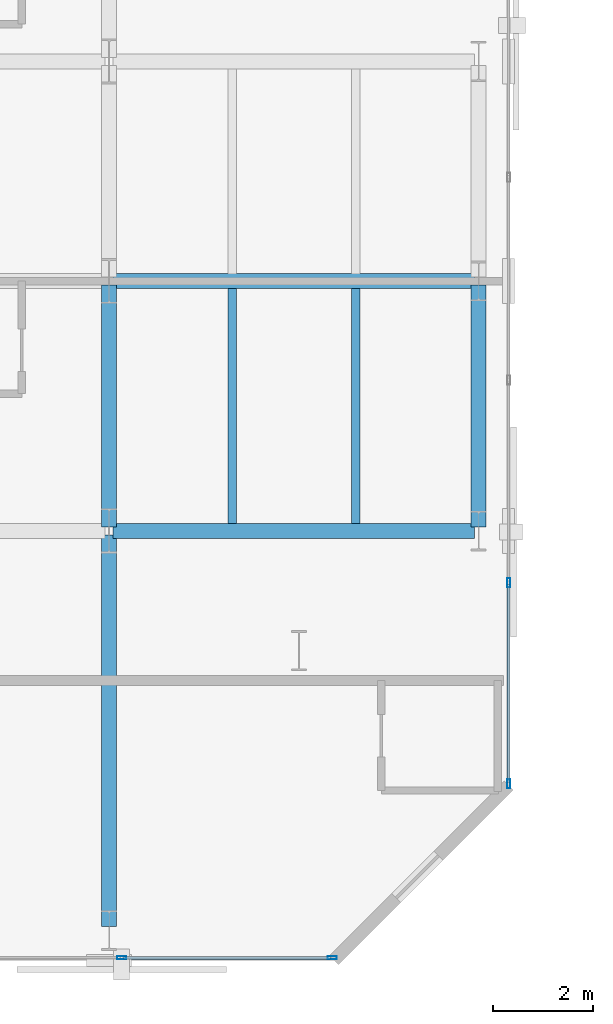
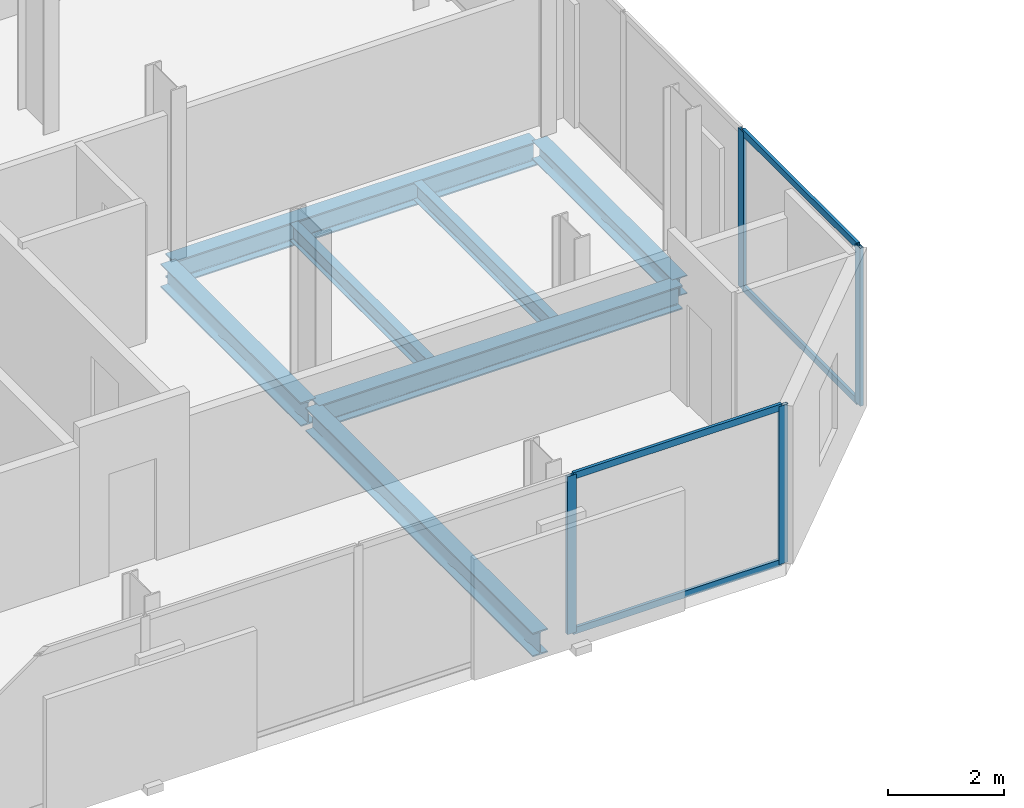
# One storey, part 7 of 32: 8 members, 7 beams, 2 elements without a shape of their own.
"""IFC4 building model written with IfcOpenShell, lengths in metres."""

from ifc_helpers import new_model, si_unit, direction, frame, origin, origin_2d, place, context, subcontext, project, spatial, hollow_rectangle, i_section, extrude, material, layer, layer_set, material_profile, profile_set, type_object, element, aggregate, save


model = new_model("IFC4")

# Units and contexts
model_context = context("Model", 3, precision=1e-05, world=origin(), true_north=direction((0.0, 1.0)))
body_context = subcontext(model_context, "Body", "Model", "MODEL_VIEW")
ifc_project = project(units=[si_unit("LENGTHUNIT", "METRE"), si_unit("AREAUNIT", "SQUARE_METRE"), si_unit("VOLUMEUNIT", "CUBIC_METRE"), si_unit("PLANEANGLEUNIT", "RADIAN"), si_unit("MASSUNIT", "GRAM", prefix="KILO")], contexts=[model_context])

# Site, building, storey
site_placement = place(None, origin())
site = spatial("IfcSite", under=ifc_project, at=site_placement, CompositionType="ELEMENT")
building_placement = place(site_placement, origin())
building = spatial("IfcBuilding", under=site, at=building_placement, Name="Catumbela Crestline Tower", CompositionType="ELEMENT")
storey_placement = place(building_placement, frame((0.0, 0.0, 61.8)))
storey = spatial("IfcBuildingStorey", under=building, at=storey_placement, Name="L15", CompositionType="ELEMENT", Elevation=61.8)

# Beams
ifc_material_1 = material(Name="Structural steel S355J2", Category="steel")
ifc_material_profile_1 = material_profile(ifc_material_1, i_section(OverallWidth=0.3, OverallDepth=0.5, WebThickness=0.0145, FlangeThickness=0.028, FilletRadius=0.027, at=origin_2d()), Name="HEB 500")
ifc_profile_set_1 = profile_set([ifc_material_profile_1], Name="Structural steel S355J2")
beam_type_1 = type_object("IfcBeamType", Name="BG-HEB500", PredefinedType="BEAM", material=ifc_profile_set_1)
for number, where, z_axis, x_axis, name in (
    (1, (16.08, 8.6, -0.51), (1.0, 0.0, 0.0), (0.0, 1.0, 0.0), "L15 Beam BM-L15-WEW50"),
    (2, (16.08, 13.6, -0.51), (1.0, 0.0, 0.0), (0.0, 1.0, 0.0), "L15 Beam BM-L15-WEW53"),
):
    element("IfcBeam", number, at=place(storey_placement, frame(where, z_axis=z_axis, x_axis=x_axis)), inside=storey, type_object=beam_type_1, Name=name, PredefinedType="BEAM", context=body_context, shape_type="SweptSolid", body=[
        extrude(i_section(OverallWidth=0.3, OverallDepth=0.5, WebThickness=0.0145, FlangeThickness=0.028, FilletRadius=0.027, at=origin_2d()), origin(), (0.0, 0.0, 1.0), 7.24),
    ])
beam_1_placement = place(storey_placement, frame((16.0, 0.68, -0.51), z_axis=(0.0, 1.0, 0.0), x_axis=(-1.0, 0.0, 0.0)))
element("IfcBeam", 3, at=beam_1_placement, inside=storey, type_object=beam_type_1, Name="L15 Beam BM-L15-WNS64", PredefinedType="BEAM", context=body_context, shape_type="SweptSolid", body=[
    extrude(i_section(OverallWidth=0.3, OverallDepth=0.5, WebThickness=0.0145, FlangeThickness=0.028, FilletRadius=0.027, at=origin_2d()), origin(), (0.0, 0.0, 1.0), 7.84),
])
beam_2_placement = place(storey_placement, frame((16.0, 8.68, -0.51), z_axis=(0.0, 1.0, 0.0), x_axis=(-1.0, 0.0, 0.0)))
element("IfcBeam", 4, at=beam_2_placement, inside=storey, type_object=beam_type_1, Name="L15 Beam BM-L15-WNS65", PredefinedType="BEAM", context=body_context, shape_type="SweptSolid", body=[
    extrude(i_section(OverallWidth=0.3, OverallDepth=0.5, WebThickness=0.0145, FlangeThickness=0.028, FilletRadius=0.027, at=origin_2d()), origin(), (0.0, 0.0, 1.0), 4.84),
])
ifc_material_profile_2 = material_profile(ifc_material_1, i_section(OverallWidth=0.17, OverallDepth=0.36, WebThickness=0.008, FlangeThickness=0.0127, FilletRadius=0.018, at=origin_2d()), Name="IPE 360")
ifc_profile_set_2 = profile_set([ifc_material_profile_2], Name="Structural steel S355J2")
beam_type_2 = type_object("IfcBeamType", Name="BJ-IPE360", PredefinedType="JOIST", material=ifc_profile_set_2)
for number, where, z_axis, x_axis, name in (
    (5, (18.467, 8.747, -0.44), (0.0, 1.0, 0.0), (-1.0, 0.0, 0.0), "L15 Joist JS-L15-WG74"),
    (6, (20.933, 8.747, -0.44), (0.0, 1.0, 0.0), (-1.0, 0.0, 0.0), "L15 Joist JS-L15-WG75"),
):
    element("IfcBeam", number, at=place(storey_placement, frame(where, z_axis=z_axis, x_axis=x_axis)), inside=storey, type_object=beam_type_2, Name=name, PredefinedType="JOIST", context=body_context, shape_type="SweptSolid", body=[
        extrude(i_section(OverallWidth=0.17, OverallDepth=0.36, WebThickness=0.008, FlangeThickness=0.0127, FilletRadius=0.018, at=origin_2d()), origin(), (0.0, 0.0, 1.0), 4.706),
    ])

# Curtain wall, members
ifc_material_2 = material(Name="Aluminium alloy AW-6060-T66", Category="aluminium")
ifc_layer = layer(ifc_material_2, 0.18, Name="Aluminium alloy AW-6060-T66")
ifc_layer_set = layer_set([ifc_layer], Name="Aluminium alloy AW-6060-T66")
curtain_wall_type = type_object("IfcCurtainWallType", Name="CWU-Z1", PredefinedType="USERDEFINED", material=ifc_layer_set)
curtain_wall_1_placement = place(storey_placement, origin())
curtain_wall_1 = element("IfcCurtainWall", 7, at=curtain_wall_1_placement, inside=storey, type_object=curtain_wall_type, Name="L15 Unitised Curtain Wall CW-L15-E0S1", ObjectType="UNITISED", PredefinedType="USERDEFINED")
ifc_material_profile_3 = material_profile(ifc_material_2, hollow_rectangle(XDim=0.065, YDim=0.18, WallThickness=0.004, at=origin_2d()), Name="ALU 180x65x4")
ifc_profile_set_3 = profile_set([ifc_material_profile_3], Name="Aluminium alloy AW-6060-T66")
member_type_1 = type_object("IfcMemberType", Name="MUL-180X65", PredefinedType="MULLION", material=ifc_profile_set_3)
member_1_placement = place(storey_placement, frame((16.25, 0.05, 0.0), z_axis=(0.0, 0.0, 1.0), x_axis=(0.0, 1.0, 0.0)))
member_1 = element("IfcMember", 8, at=member_1_placement, type_object=member_type_1, Name="CWU-Z1 mullion 4", PredefinedType="MULLION", context=body_context, shape_type="SweptSolid", body=[
    extrude(hollow_rectangle(XDim=0.065, YDim=0.18, WallThickness=0.004, at=origin_2d()), origin(), (0.0, 0.0, 1.0), 3.33),
])
member_2_placement = place(storey_placement, frame((20.4675, 0.05, 0.0), z_axis=(0.0, 0.0, 1.0), x_axis=(0.0, 1.0, 0.0)))
member_2 = element("IfcMember", 9, at=member_2_placement, type_object=member_type_1, Name="CWU-Z1 mullion 5", PredefinedType="MULLION", context=body_context, shape_type="SweptSolid", body=[
    extrude(hollow_rectangle(XDim=0.065, YDim=0.18, WallThickness=0.004, at=origin_2d()), origin(), (0.0, 0.0, 1.0), 3.33),
])

curtain_wall_2_placement = place(storey_placement, origin())
curtain_wall_2 = element("IfcCurtainWall", 10, at=curtain_wall_2_placement, inside=storey, type_object=curtain_wall_type, Name="L15 Unitised Curtain Wall CW-L15-E2S1", ObjectType="UNITISED", PredefinedType="USERDEFINED")
member_3_placement = place(storey_placement, frame((24.0, 3.5325, 0.0), z_axis=(0.0, 0.0, 1.0), x_axis=(-1.0, 0.0, 0.0)))
member_3 = element("IfcMember", 11, at=member_3_placement, type_object=member_type_1, Name="CWU-Z1 mullion 1", PredefinedType="MULLION", context=body_context, shape_type="SweptSolid", body=[
    extrude(hollow_rectangle(XDim=0.065, YDim=0.18, WallThickness=0.004, at=origin_2d()), origin(), (0.0, 0.0, 1.0), 3.33),
])
member_4_placement = place(storey_placement, frame((24.0, 7.56, 0.0), z_axis=(0.0, 0.0, 1.0), x_axis=(-1.0, 0.0, 0.0)))
member_4 = element("IfcMember", 12, at=member_4_placement, type_object=member_type_1, Name="CWU-Z1 mullion 2", PredefinedType="MULLION", context=body_context, shape_type="SweptSolid", body=[
    extrude(hollow_rectangle(XDim=0.065, YDim=0.18, WallThickness=0.004, at=origin_2d()), origin(), (0.0, 0.0, 1.0), 3.33),
])

# Beam
ifc_material_profile_4 = material_profile(ifc_material_1, i_section(OverallWidth=0.3, OverallDepth=0.39, WebThickness=0.011, FlangeThickness=0.019, FilletRadius=0.027, at=origin_2d()), Name="HEA 400")
ifc_profile_set_4 = profile_set([ifc_material_profile_4], Name="Structural steel S355J2")
beam_type_3 = type_object("IfcBeamType", Name="BS-HEA400", PredefinedType="SPANDREL", material=ifc_profile_set_4)
beam_3_placement = place(storey_placement, frame((23.4, 8.68, -0.455), z_axis=(0.0, 1.0, 0.0), x_axis=(-1.0, 0.0, 0.0)))
element("IfcBeam", 13, at=beam_3_placement, inside=storey, type_object=beam_type_3, Name="L15 Spandrel SP-L15-WNS68", PredefinedType="SPANDREL", context=body_context, shape_type="SweptSolid", body=[
    extrude(i_section(OverallWidth=0.3, OverallDepth=0.39, WebThickness=0.011, FlangeThickness=0.019, FilletRadius=0.027, at=origin_2d()), origin(), (0.0, 0.0, 1.0), 4.84),
])

# Member
ifc_material_profile_5 = material_profile(ifc_material_2, hollow_rectangle(XDim=0.06, YDim=0.14, WallThickness=0.004, at=origin_2d()), Name="ALU 140x60x4")
ifc_profile_set_5 = profile_set([ifc_material_profile_5], Name="Aluminium alloy AW-6060-T66")
member_type_2 = type_object("IfcMemberType", Name="TRN-140X60", PredefinedType="USERDEFINED", material=ifc_profile_set_5)
member_5_placement = place(storey_placement, frame((16.2825, 0.05, 0.03), z_axis=(1.0, 0.0, 0.0), x_axis=(0.0, 1.0, 0.0)))
member_5 = element("IfcMember", 14, at=member_5_placement, type_object=member_type_2, Name="CWU-Z1 transom 4.1", ObjectType="TRANSOM", PredefinedType="USERDEFINED", context=body_context, shape_type="SweptSolid", body=[
    extrude(hollow_rectangle(XDim=0.06, YDim=0.14, WallThickness=0.004, at=origin_2d()), origin(), (0.0, 0.0, 1.0), 4.1525),
])

member_6_placement = place(storey_placement, frame((16.2825, 0.05, 3.3), z_axis=(1.0, 0.0, 0.0), x_axis=(0.0, 1.0, 0.0)))
member_6 = element("IfcMember", 15, at=member_6_placement, type_object=member_type_2, Name="CWU-Z1 transom 4.2", ObjectType="TRANSOM", PredefinedType="USERDEFINED", context=body_context, shape_type="SweptSolid", body=[
    extrude(hollow_rectangle(XDim=0.06, YDim=0.14, WallThickness=0.004, at=origin_2d()), origin(), (0.0, 0.0, 1.0), 4.1525),
])

aggregate(curtain_wall_1, [member_1, member_2, member_5, member_6])

member_7_placement = place(storey_placement, frame((24.0, 3.565, 0.03), z_axis=(0.0, 1.0, 0.0), x_axis=(-1.0, 0.0, 0.0)))
member_7 = element("IfcMember", 16, at=member_7_placement, type_object=member_type_2, Name="CWU-Z1 transom 1.1", ObjectType="TRANSOM", PredefinedType="USERDEFINED", context=body_context, shape_type="SweptSolid", body=[
    extrude(hollow_rectangle(XDim=0.06, YDim=0.14, WallThickness=0.004, at=origin_2d()), origin(), (0.0, 0.0, 1.0), 3.9625),
])

member_8_placement = place(storey_placement, frame((24.0, 3.565, 3.3), z_axis=(0.0, 1.0, 0.0), x_axis=(-1.0, 0.0, 0.0)))
member_8 = element("IfcMember", 17, at=member_8_placement, type_object=member_type_2, Name="CWU-Z1 transom 1.2", ObjectType="TRANSOM", PredefinedType="USERDEFINED", context=body_context, shape_type="SweptSolid", body=[
    extrude(hollow_rectangle(XDim=0.06, YDim=0.14, WallThickness=0.004, at=origin_2d()), origin(), (0.0, 0.0, 1.0), 3.9625),
])

aggregate(curtain_wall_2, [member_3, member_4, member_7, member_8])

save(model, "model.ifc")
